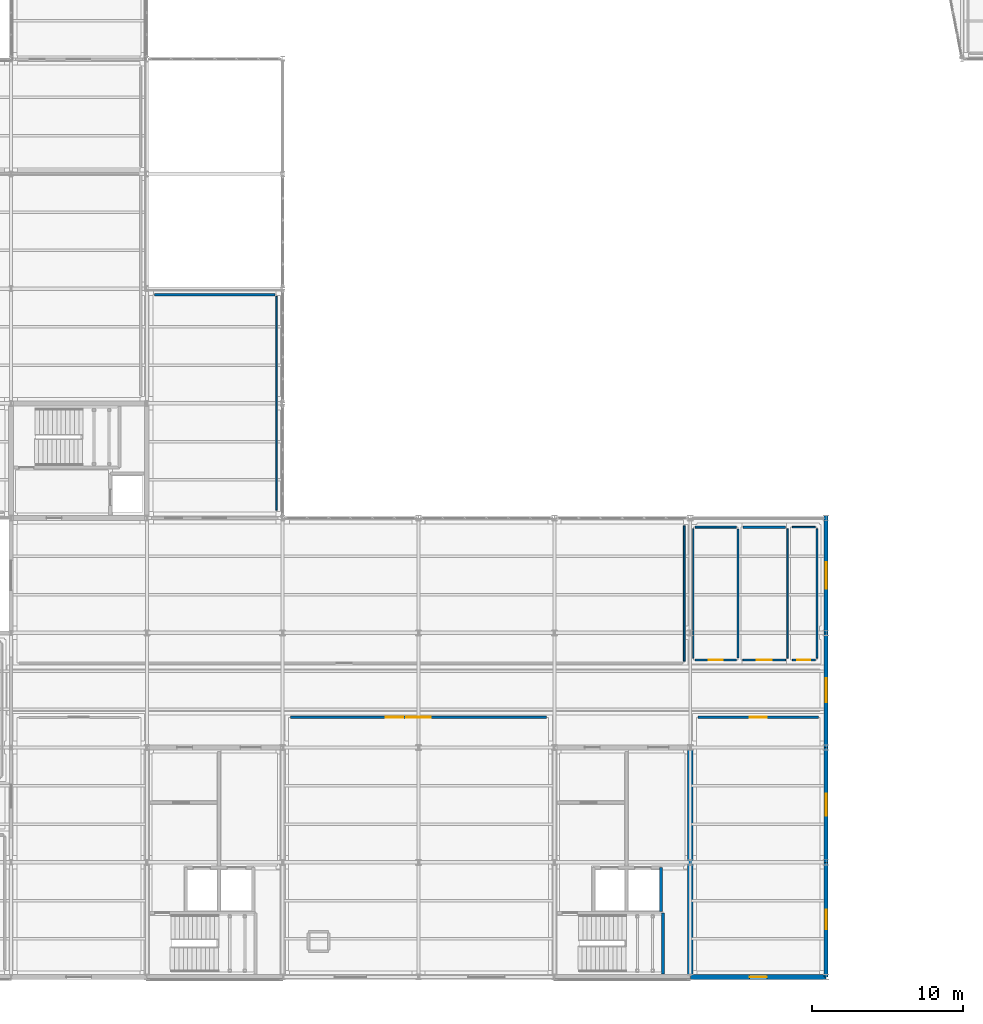
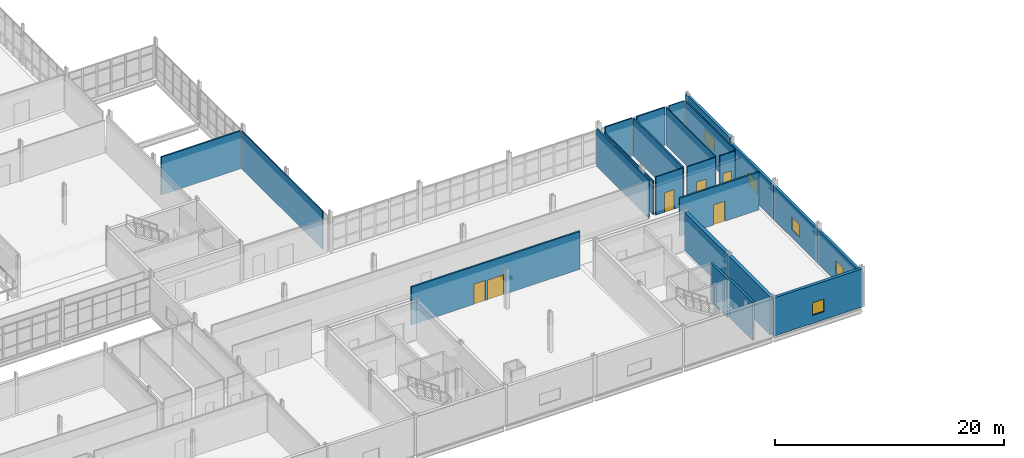
# One storey, part 156 of 174: 23 walls, 6 doors, 5 windows, 11 openings.
"""IFC4 building model written with IfcOpenShell, lengths in metres."""

from ifc_helpers import new_model, si_unit, direction, frame, frame_2d, origin, place, context, subcontext, project, spatial, rectangle, extrude, material, layer, layer_set, type_object, element, fill, save


model = new_model("IFC4")

# Units and contexts
model_context = context("Model", 3, precision=1e-05, world=origin(), true_north=direction((0.0, 1.0)))
body_context = subcontext(model_context, "Body", "Model", "MODEL_VIEW")
ifc_project = project(units=[si_unit("LENGTHUNIT", "METRE"), si_unit("AREAUNIT", "SQUARE_METRE"), si_unit("VOLUMEUNIT", "CUBIC_METRE"), si_unit("PLANEANGLEUNIT", "RADIAN"), si_unit("MASSUNIT", "GRAM", prefix="KILO")], contexts=[model_context])

# Site, building, storey
site_placement = place(None, origin())
site = spatial("IfcSite", under=ifc_project, at=site_placement, CompositionType="ELEMENT")
building_placement = place(site_placement, origin())
building = spatial("IfcBuilding", under=site, at=building_placement, Name="Caisbarro Railhouse Central Library", CompositionType="ELEMENT")
storey_placement = place(building_placement, frame((0.0, 0.0, 5.0400390625)))
storey = spatial("IfcBuildingStorey", under=building, at=storey_placement, Name="L01", CompositionType="ELEMENT", Elevation=5.0400390625)

# Wall
ifc_material_1 = material(Name="Concrete C40", Category="concrete")
ifc_layer_1 = layer(ifc_material_1, 0.35009765625, Name="Concrete C40")
ifc_layer_set_1 = layer_set([ifc_layer_1], Name="Concrete C40")
wall_type_1 = type_object("IfcWallType", Name="WAL-CW35", PredefinedType="SHEAR", material=ifc_layer_set_1)
wall_1_placement = place(storey_placement, frame((99.0, 0.159912109375, 0.0), z_axis=(0.0, 0.0, 1.0), x_axis=(0.0, 1.0, 0.0)))
element("IfcWall", 1, at=wall_1_placement, inside=storey, type_object=wall_type_1, Name="CW35 RC core shear wall L01 #28", PredefinedType="SHEAR", context=body_context, shape_type="SweptSolid", body=[
    extrude(rectangle(XDim=14.880126953125, YDim=0.35009765625, at=frame_2d((7.43994140625, 0.0))), origin(), (0.0, 0.0, 1.0), 4.0400390625),
])

# Wall, opening, window
ifc_material_2 = material(Name="Concrete C35 insulated architectural precast", Category="concrete")
ifc_layer_2 = layer(ifc_material_2, 0.260009765625, Name="Concrete C35 insulated architectural precast")
ifc_layer_set_2 = layer_set([ifc_layer_2], Name="Concrete C35 insulated architectural precast")
wall_type_2 = type_object("IfcWallType", Name="WAL-EW26", PredefinedType="STANDARD", material=ifc_layer_set_2)
wall_2_placement = place(storey_placement, frame((108.0, 0.0, 0.0), z_axis=(0.0, 0.0, 1.0), x_axis=(0.0, 1.0, 0.0)))
wall_2 = element("IfcWall", 2, at=wall_2_placement, inside=storey, type_object=wall_type_2, Name="EW26 exterior wall L01 #87", PredefinedType="STANDARD", context=body_context, shape_type="SweptSolid", body=[
    extrude(rectangle(XDim=7.60009765625, YDim=0.260009765625, at=frame_2d((3.800048828125, 0.0))), origin(), (0.0, 0.0, 1.0), 3.598876953125),
])
opening_1_placement = place(wall_2_placement, frame((3.14990234375, 0.0, 0.85009765625)))
opening_1 = element("IfcOpeningElement", 3, at=opening_1_placement, cuts=wall_2, Name="Opening W12", PredefinedType="OPENING", context=body_context, shape_type="SweptSolid", body=[
    extrude(rectangle(XDim=1.300048828125, YDim=1.35009765625, at=frame_2d((0.64990234375, 0.675048828125))), frame((0.0, 0.14013671875, 0.0), z_axis=(0.0, -1.0, 0.0), x_axis=(1.0, 0.0, 0.0)), (0.0, 0.0, 1.0), 0.280029296875),
])
ifc_material_3 = material(Name="Double low-e laminated solar-control glass", Category="glass")
window_type_1 = type_object("IfcWindowType", Name="WIN-W12", PartitioningType="SINGLE_PANEL", PredefinedType="WINDOW", material=ifc_material_3)
window_1_placement = place(opening_1_placement, origin())
window_1 = element("IfcWindow", 4, at=window_1_placement, inside=storey, type_object=window_type_1, Name="W12 window L01-013", OverallHeight=1.35009765625, OverallWidth=1.300048828125, PartitioningType="SINGLE_PANEL", PredefinedType="WINDOW", context=body_context, shape_type="SweptSolid", body=[
    extrude(rectangle(XDim=1.300048828125, YDim=1.35009765625, at=frame_2d((0.64990234375, 0.675048828125))), frame((0.0, 0.030029296875, 0.0), z_axis=(0.0, -1.0, 0.0), x_axis=(1.0, 0.0, 0.0)), (0.0, 0.0, 1.0), 0.06005859375),
])
fill(opening_1, window_1)

wall_3_placement = place(storey_placement, frame((108.0, 7.60009765625, 0.0), z_axis=(0.0, 0.0, 1.0), x_axis=(0.0, 1.0, 0.0)))
wall_3 = element("IfcWall", 5, at=wall_3_placement, inside=storey, type_object=wall_type_2, Name="EW26 exterior wall L01 #88", PredefinedType="STANDARD", context=body_context, shape_type="SweptSolid", body=[
    extrude(rectangle(XDim=7.599853515625, YDim=0.260009765625, at=frame_2d((3.7998046875, 0.0))), origin(), (0.0, 0.0, 1.0), 3.598876953125),
])
opening_2_placement = place(wall_3_placement, frame((3.074951171875, 0.0, 0.85009765625)))
opening_2 = element("IfcOpeningElement", 6, at=opening_2_placement, cuts=wall_3, Name="Opening W13", PredefinedType="OPENING", context=body_context, shape_type="SweptSolid", body=[
    extrude(rectangle(XDim=1.449951171875, YDim=1.35009765625, at=frame_2d((0.72509765625, 0.675048828125))), frame((0.0, 0.14013671875, 0.0), z_axis=(0.0, -1.0, 0.0), x_axis=(1.0, 0.0, 0.0)), (0.0, 0.0, 1.0), 0.280029296875),
])
window_type_2 = type_object("IfcWindowType", Name="WIN-W13", PartitioningType="SINGLE_PANEL", PredefinedType="WINDOW", material=ifc_material_3)
window_2_placement = place(opening_2_placement, origin())
window_2 = element("IfcWindow", 7, at=window_2_placement, inside=storey, type_object=window_type_2, Name="W13 window L01-014", OverallHeight=1.35009765625, OverallWidth=1.449951171875, PartitioningType="SINGLE_PANEL", PredefinedType="WINDOW", context=body_context, shape_type="SweptSolid", body=[
    extrude(rectangle(XDim=1.449951171875, YDim=1.35009765625, at=frame_2d((0.72509765625, 0.675048828125))), frame((0.0, 0.030029296875, 0.0), z_axis=(0.0, -1.0, 0.0), x_axis=(1.0, 0.0, 0.0)), (0.0, 0.0, 1.0), 0.06005859375),
])
fill(opening_2, window_2)

wall_4_placement = place(storey_placement, frame((108.0, 15.199951171875, 0.0), z_axis=(0.0, 0.0, 1.0), x_axis=(0.0, 1.0, 0.0)))
wall_4 = element("IfcWall", 8, at=wall_4_placement, inside=storey, type_object=wall_type_2, Name="EW26 exterior wall L01 #89", PredefinedType="STANDARD", context=body_context, shape_type="SweptSolid", body=[
    extrude(rectangle(XDim=7.60009765625, YDim=0.260009765625, at=frame_2d((3.800048828125, 0.0))), origin(), (0.0, 0.0, 1.0), 3.598876953125),
])
opening_3_placement = place(wall_4_placement, frame((3.0, 0.0, 0.85009765625)))
opening_3 = element("IfcOpeningElement", 9, at=opening_3_placement, cuts=wall_4, Name="Opening W14", PredefinedType="OPENING", context=body_context, shape_type="SweptSolid", body=[
    extrude(rectangle(XDim=1.60009765625, YDim=1.35009765625, at=frame_2d((0.800048828125, 0.675048828125))), frame((0.0, 0.14013671875, 0.0), z_axis=(0.0, -1.0, 0.0), x_axis=(1.0, 0.0, 0.0)), (0.0, 0.0, 1.0), 0.280029296875),
])
window_type_3 = type_object("IfcWindowType", Name="WIN-W14", PartitioningType="SINGLE_PANEL", PredefinedType="WINDOW", material=ifc_material_3)
window_3_placement = place(opening_3_placement, origin())
window_3 = element("IfcWindow", 10, at=window_3_placement, inside=storey, type_object=window_type_3, Name="W14 window L01-015", OverallHeight=1.35009765625, OverallWidth=1.60009765625, PartitioningType="SINGLE_PANEL", PredefinedType="WINDOW", context=body_context, shape_type="SweptSolid", body=[
    extrude(rectangle(XDim=1.60009765625, YDim=1.35009765625, at=frame_2d((0.800048828125, 0.675048828125))), frame((0.0, 0.030029296875, 0.0), z_axis=(0.0, -1.0, 0.0), x_axis=(1.0, 0.0, 0.0)), (0.0, 0.0, 1.0), 0.06005859375),
])
fill(opening_3, window_3)

wall_5_placement = place(storey_placement, frame((108.0, 22.800048828125, 0.0), z_axis=(0.0, 0.0, 1.0), x_axis=(0.0, 1.0, 0.0)))
wall_5 = element("IfcWall", 11, at=wall_5_placement, inside=storey, type_object=wall_type_2, Name="EW26 exterior wall L01 #90", PredefinedType="STANDARD", context=body_context, shape_type="SweptSolid", body=[
    extrude(rectangle(XDim=7.81005859375, YDim=0.260009765625, at=frame_2d((3.905029296875, 0.0))), origin(), (0.0, 0.0, 1.0), 4.06005859375),
])
opening_4_placement = place(wall_5_placement, frame((2.925048828125, 0.0, 0.85009765625)))
opening_4 = element("IfcOpeningElement", 12, at=opening_4_placement, cuts=wall_5, Name="Opening W15", PredefinedType="OPENING", context=body_context, shape_type="SweptSolid", body=[
    extrude(rectangle(XDim=1.75, YDim=1.35009765625, at=frame_2d((0.875, 0.675048828125))), frame((0.0, 0.14013671875, 0.0), z_axis=(0.0, -1.0, 0.0), x_axis=(1.0, 0.0, 0.0)), (0.0, 0.0, 1.0), 0.280029296875),
])
window_type_4 = type_object("IfcWindowType", Name="WIN-W15", PartitioningType="SINGLE_PANEL", PredefinedType="WINDOW", material=ifc_material_3)
window_4_placement = place(opening_4_placement, origin())
window_4 = element("IfcWindow", 13, at=window_4_placement, inside=storey, type_object=window_type_4, Name="W15 window L01-016", OverallHeight=1.35009765625, OverallWidth=1.75, PartitioningType="SINGLE_PANEL", PredefinedType="WINDOW", context=body_context, shape_type="SweptSolid", body=[
    extrude(rectangle(XDim=1.75, YDim=1.35009765625, at=frame_2d((0.875, 0.675048828125))), frame((0.0, 0.030029296875, 0.0), z_axis=(0.0, -1.0, 0.0), x_axis=(1.0, 0.0, 0.0)), (0.0, 0.0, 1.0), 0.06005859375),
])
fill(opening_4, window_4)

ifc_layer_3 = layer(ifc_material_1, 0.300048828125, Name="Concrete C40")
ifc_layer_set_3 = layer_set([ifc_layer_3], Name="Concrete C40")
wall_type_3 = type_object("IfcWallType", Name="WAL-EW30", PredefinedType="SOLIDWALL", material=ifc_layer_set_3)
wall_6_placement = place(storey_placement, frame((99.0, 0.0, 0.0), z_axis=(0.0, 0.0, 1.0), x_axis=(1.0, 0.0, 0.0)))
wall_6 = element("IfcWall", 14, at=wall_6_placement, inside=storey, type_object=wall_type_3, Name="EW30 exterior wall L01 #86", PredefinedType="SOLIDWALL", context=body_context, shape_type="SweptSolid", body=[
    extrude(rectangle(XDim=9.0, YDim=0.300048828125, at=frame_2d((4.5, 0.0))), origin(), (0.0, 0.0, 1.0), 4.06005859375),
])
opening_5_placement = place(wall_6_placement, frame((3.925048828125, 0.0, 0.85009765625)))
opening_5 = element("IfcOpeningElement", 15, at=opening_5_placement, cuts=wall_6, Name="Opening W11", PredefinedType="OPENING", context=body_context, shape_type="SweptSolid", body=[
    extrude(rectangle(XDim=1.14990234375, YDim=1.35009765625, at=frame_2d((0.574951171875, 0.675048828125))), frame((0.0, 0.16015625, 0.0), z_axis=(0.0, -1.0, 0.0), x_axis=(1.0, 0.0, 0.0)), (0.0, 0.0, 1.0), 0.320068359375),
])
window_type_5 = type_object("IfcWindowType", Name="WIN-W11", PartitioningType="SINGLE_PANEL", PredefinedType="WINDOW", material=ifc_material_3)
window_5_placement = place(opening_5_placement, origin())
window_5 = element("IfcWindow", 16, at=window_5_placement, inside=storey, type_object=window_type_5, Name="W11 window L01-012", OverallHeight=1.35009765625, OverallWidth=1.14990234375, PartitioningType="SINGLE_PANEL", PredefinedType="WINDOW", context=body_context, shape_type="SweptSolid", body=[
    extrude(rectangle(XDim=1.14990234375, YDim=1.35009765625, at=frame_2d((0.574951171875, 0.675048828125))), frame((0.0, 0.030029296875, 0.0), z_axis=(0.0, -1.0, 0.0), x_axis=(1.0, 0.0, 0.0)), (0.0, 0.0, 1.0), 0.06005859375),
])
fill(opening_5, window_5)

# Walls
ifc_material_4 = material(Name="Acoustic gypsum board on galvanised steel studs", Category="steel")
ifc_layer_4 = layer(ifc_material_4, 0.090087890625, Name="Acoustic gypsum board on galvanised steel studs")
ifc_layer_set_4 = layer_set([ifc_layer_4], Name="Acoustic gypsum board on galvanised steel studs")
wall_type_4 = type_object("IfcWallType", Name="WAL-IW09", PredefinedType="PARTITIONING", material=ifc_layer_set_4)
wall_7_placement = place(storey_placement, frame((99.199951171875, 21.1201171875, 0.0), z_axis=(0.0, 0.0, 1.0), x_axis=(0.0, 1.0, 0.0)))
element("IfcWall", 17, at=wall_7_placement, inside=storey, type_object=wall_type_4, Name="IW09 partition wall L01 #395", PredefinedType="PARTITIONING", context=body_context, shape_type="SweptSolid", body=[
    extrude(rectangle(XDim=8.559814453125, YDim=0.090087890625, at=frame_2d((4.27978515625, 0.0))), origin(), (0.0, 0.0, 1.0), 3.598876953125),
])
wall_8_placement = place(storey_placement, frame((105.43603515625, 21.1201171875, 0.0), z_axis=(0.0, 0.0, 1.0), x_axis=(0.0, 1.0, 0.0)))
element("IfcWall", 18, at=wall_8_placement, inside=storey, type_object=wall_type_4, Name="IW09 partition wall L01 #399", PredefinedType="PARTITIONING", context=body_context, shape_type="SweptSolid", body=[
    extrude(rectangle(XDim=8.559814453125, YDim=0.090087890625, at=frame_2d((4.27978515625, 0.0))), origin(), (0.0, 0.0, 1.0), 4.0400390625),
])
wall_9_placement = place(storey_placement, frame((105.756103515625, 29.800048828125, 0.0), z_axis=(0.0, 0.0, 1.0), x_axis=(1.0, 0.0, 0.0)))
element("IfcWall", 19, at=wall_9_placement, inside=storey, type_object=wall_type_4, Name="IW09 partition wall L01 #403", PredefinedType="PARTITIONING", context=body_context, shape_type="SweptSolid", body=[
    extrude(rectangle(XDim=1.52392578125, YDim=0.090087890625, at=frame_2d((0.761962890625, 0.0))), origin(), (0.0, 0.0, 1.0), 4.0400390625),
])
wall_10_placement = place(storey_placement, frame((71.60009765625, 30.919921875, 0.0), z_axis=(0.0, 0.0, 1.0), x_axis=(0.0, 1.0, 0.0)))
element("IfcWall", 20, at=wall_10_placement, inside=storey, type_object=wall_type_4, Name="IW09 partition wall L01 #459", PredefinedType="PARTITIONING", context=body_context, shape_type="SweptSolid", body=[
    extrude(rectangle(XDim=14.16015625, YDim=0.090087890625, at=frame_2d((7.080078125, 0.0))), origin(), (0.0, 0.0, 1.0), 4.0400390625),
])

# Wall, opening, door
ifc_layer_5 = layer(ifc_material_4, 0.110107421875, Name="Acoustic gypsum board on galvanised steel studs")
ifc_layer_set_5 = layer_set([ifc_layer_5], Name="Acoustic gypsum board on galvanised steel studs")
wall_type_5 = type_object("IfcWallType", Name="WAL-IW11", PredefinedType="PARTITIONING", material=ifc_layer_set_5)
wall_11_placement = place(storey_placement, frame((99.320068359375, 21.0, 0.0), z_axis=(0.0, 0.0, 1.0), x_axis=(1.0, 0.0, 0.0)))
wall_11 = element("IfcWall", 21, at=wall_11_placement, inside=storey, type_object=wall_type_5, Name="IW11 partition wall L01 #394", PredefinedType="PARTITIONING", context=body_context, shape_type="SweptSolid", body=[
    extrude(rectangle(XDim=2.72802734375, YDim=0.110107421875, at=frame_2d((1.364013671875, 0.0))), origin(), (0.0, 0.0, 1.0), 4.0400390625),
])
opening_6_placement = place(wall_11_placement, frame((0.89404296875, 0.0, 0.0)))
opening_6 = element("IfcOpeningElement", 22, at=opening_6_placement, cuts=wall_11, Name="Opening ID03", PredefinedType="OPENING", context=body_context, shape_type="SweptSolid", body=[
    extrude(rectangle(XDim=0.93994140625, YDim=2.06005859375, at=frame_2d((0.469970703125, 1.030029296875))), frame((0.0, 0.06494140625, 0.0), z_axis=(0.0, -1.0, 0.0), x_axis=(1.0, 0.0, 0.0)), (0.0, 0.0, 1.0), 0.130126953125),
])
ifc_material_5 = material(Name="Solid-core tropical hardwood veneer", Category="wood")
door_type_1 = type_object("IfcDoorType", Name="DR-ID03", OperationType="NOTDEFINED", PredefinedType="DOOR", material=ifc_material_5)
door_1_placement = place(opening_6_placement, origin())
door_1 = element("IfcDoor", 23, at=door_1_placement, inside=storey, type_object=door_type_1, Name="Male WC L01-E Door ID03 L01-242", OperationType="SINGLE_SWING_RIGHT", OverallHeight=2.06005859375, OverallWidth=0.93994140625, PredefinedType="DOOR", context=body_context, shape_type="SweptSolid", body=[
    extrude(rectangle(XDim=0.93994140625, YDim=2.06005859375, at=frame_2d((0.469970703125, 1.030029296875))), frame((0.0, 0.02490234375, 0.0), z_axis=(0.0, -1.0, 0.0), x_axis=(1.0, 0.0, 0.0)), (0.0, 0.0, 1.0), 0.050048828125),
])
fill(opening_6, door_1)

wall_12_placement = place(storey_placement, frame((102.488037109375, 21.0, 0.0), z_axis=(0.0, 0.0, 1.0), x_axis=(1.0, 0.0, 0.0)))
wall_12 = element("IfcWall", 24, at=wall_12_placement, inside=storey, type_object=wall_type_5, Name="IW11 partition wall L01 #398", PredefinedType="PARTITIONING", context=body_context, shape_type="SweptSolid", body=[
    extrude(rectangle(XDim=2.827880859375, YDim=0.110107421875, at=frame_2d((1.4140625, 0.0))), origin(), (0.0, 0.0, 1.0), 4.0400390625),
])
opening_7_placement = place(wall_12_placement, frame((0.924072265625, 0.0, 0.0)))
opening_7 = element("IfcOpeningElement", 25, at=opening_7_placement, cuts=wall_12, Name="Opening ID04", PredefinedType="OPENING", context=body_context, shape_type="SweptSolid", body=[
    extrude(rectangle(XDim=0.97998046875, YDim=2.06005859375, at=frame_2d((0.489990234375, 1.030029296875))), frame((0.0, 0.06494140625, 0.0), z_axis=(0.0, -1.0, 0.0), x_axis=(1.0, 0.0, 0.0)), (0.0, 0.0, 1.0), 0.130126953125),
])
door_type_2 = type_object("IfcDoorType", Name="DR-ID04", OperationType="NOTDEFINED", PredefinedType="DOOR", material=ifc_material_5)
door_2_placement = place(opening_7_placement, origin())
door_2 = element("IfcDoor", 26, at=door_2_placement, inside=storey, type_object=door_type_2, Name="Female WC L01-E Door ID04 L01-243", OperationType="SINGLE_SWING_LEFT", OverallHeight=2.06005859375, OverallWidth=0.97998046875, PredefinedType="DOOR", context=body_context, shape_type="SweptSolid", body=[
    extrude(rectangle(XDim=0.97998046875, YDim=2.06005859375, at=frame_2d((0.489990234375, 1.030029296875))), frame((0.0, 0.02490234375, 0.0), z_axis=(0.0, -1.0, 0.0), x_axis=(1.0, 0.0, 0.0)), (0.0, 0.0, 1.0), 0.050048828125),
])
fill(opening_7, door_2)

# Walls
wall_13_placement = place(storey_placement, frame((107.39990234375, 21.1201171875, 0.0), z_axis=(0.0, 0.0, 1.0), x_axis=(0.0, 1.0, 0.0)))
element("IfcWall", 27, at=wall_13_placement, inside=storey, type_object=wall_type_5, Name="IW11 partition wall L01 #402", PredefinedType="PARTITIONING", context=body_context, shape_type="SweptSolid", body=[
    extrude(rectangle(XDim=8.559814453125, YDim=0.110107421875, at=frame_2d((4.27978515625, 0.0))), origin(), (0.0, 0.0, 1.0), 4.0400390625),
])
ifc_layer_6 = layer(ifc_material_4, 0.1298828125, Name="Acoustic gypsum board on galvanised steel studs")
ifc_layer_set_6 = layer_set([ifc_layer_6], Name="Acoustic gypsum board on galvanised steel studs")
wall_type_6 = type_object("IfcWallType", Name="WAL-IW13", PredefinedType="PARTITIONING", material=ifc_layer_set_6)
wall_14_placement = place(storey_placement, frame((98.60009765625, 20.919921875, 0.0), z_axis=(0.0, 0.0, 1.0), x_axis=(0.0, 1.0, 0.0)))
element("IfcWall", 28, at=wall_14_placement, inside=storey, type_object=wall_type_6, Name="IW13 partition wall L01 #393", PredefinedType="PARTITIONING", context=body_context, shape_type="SweptSolid", body=[
    extrude(rectangle(XDim=8.9599609375, YDim=0.1298828125, at=frame_2d((4.47998046875, 0.0))), origin(), (0.0, 0.0, 1.0), 4.0400390625),
])
wall_15_placement = place(storey_placement, frame((99.320068359375, 29.800048828125, 0.0), z_axis=(0.0, 0.0, 1.0), x_axis=(1.0, 0.0, 0.0)))
element("IfcWall", 29, at=wall_15_placement, inside=storey, type_object=wall_type_6, Name="IW13 partition wall L01 #397", PredefinedType="PARTITIONING", context=body_context, shape_type="SweptSolid", body=[
    extrude(rectangle(XDim=2.72802734375, YDim=0.1298828125, at=frame_2d((1.364013671875, 0.0))), origin(), (0.0, 0.0, 1.0), 4.0400390625),
])

# Wall, opening, door
wall_16_placement = place(storey_placement, frame((105.756103515625, 21.0, 0.0), z_axis=(0.0, 0.0, 1.0), x_axis=(1.0, 0.0, 0.0)))
wall_16 = element("IfcWall", 30, at=wall_16_placement, inside=storey, type_object=wall_type_6, Name="IW13 partition wall L01 #401", PredefinedType="PARTITIONING", context=body_context, shape_type="SweptSolid", body=[
    extrude(rectangle(XDim=1.52392578125, YDim=0.1298828125, at=frame_2d((0.761962890625, 0.0))), origin(), (0.0, 0.0, 1.0), 4.0400390625),
])
opening_8_placement = place(wall_16_placement, frame((0.33203125, 0.0, 0.0)))
opening_8 = element("IfcOpeningElement", 31, at=opening_8_placement, cuts=wall_16, Name="Opening ID01", PredefinedType="OPENING", context=body_context, shape_type="SweptSolid", body=[
    extrude(rectangle(XDim=0.860107421875, YDim=2.06005859375, at=frame_2d((0.43017578125, 1.030029296875))), frame((0.0, 0.074951171875, 0.0), z_axis=(0.0, -1.0, 0.0), x_axis=(1.0, 0.0, 0.0)), (0.0, 0.0, 1.0), 0.14990234375),
])
door_type_3 = type_object("IfcDoorType", Name="DR-ID01", OperationType="NOTDEFINED", PredefinedType="DOOR", material=ifc_material_5)
door_3_placement = place(opening_8_placement, origin())
door_3 = element("IfcDoor", 32, at=door_3_placement, inside=storey, type_object=door_type_3, Name="Accessible WC L01-E Door ID01 L01-244", OperationType="SINGLE_SWING_RIGHT", OverallHeight=2.06005859375, OverallWidth=0.860107421875, PredefinedType="DOOR", context=body_context, shape_type="SweptSolid", body=[
    extrude(rectangle(XDim=0.860107421875, YDim=2.06005859375, at=frame_2d((0.43017578125, 1.030029296875))), frame((0.0, 0.02490234375, 0.0), z_axis=(0.0, -1.0, 0.0), x_axis=(1.0, 0.0, 0.0)), (0.0, 0.0, 1.0), 0.050048828125),
])
fill(opening_8, door_3)

# Walls
ifc_layer_7 = layer(ifc_material_4, 0.14990234375, Name="Acoustic gypsum board on galvanised steel studs")
ifc_layer_set_7 = layer_set([ifc_layer_7], Name="Acoustic gypsum board on galvanised steel studs")
wall_type_7 = type_object("IfcWallType", Name="WAL-IW15", PredefinedType="PARTITIONING", material=ifc_layer_set_7)
wall_17_placement = place(storey_placement, frame((102.16796875, 21.1201171875, 0.0), z_axis=(0.0, 0.0, 1.0), x_axis=(0.0, 1.0, 0.0)))
element("IfcWall", 33, at=wall_17_placement, inside=storey, type_object=wall_type_7, Name="IW15 partition wall L01 #396", PredefinedType="PARTITIONING", context=body_context, shape_type="SweptSolid", body=[
    extrude(rectangle(XDim=8.559814453125, YDim=0.14990234375, at=frame_2d((4.27978515625, 0.0))), origin(), (0.0, 0.0, 1.0), 4.0400390625),
])
wall_18_placement = place(storey_placement, frame((102.488037109375, 29.800048828125, 0.0), z_axis=(0.0, 0.0, 1.0), x_axis=(1.0, 0.0, 0.0)))
element("IfcWall", 34, at=wall_18_placement, inside=storey, type_object=wall_type_7, Name="IW15 partition wall L01 #400", PredefinedType="PARTITIONING", context=body_context, shape_type="SweptSolid", body=[
    extrude(rectangle(XDim=2.827880859375, YDim=0.14990234375, at=frame_2d((1.4140625, 0.0))), origin(), (0.0, 0.0, 1.0), 4.0400390625),
])
wall_19_placement = place(storey_placement, frame((63.52001953125, 45.199951171875, 0.0), z_axis=(0.0, 0.0, 1.0), x_axis=(1.0, 0.0, 0.0)))
element("IfcWall", 35, at=wall_19_placement, inside=storey, type_object=wall_type_7, Name="IW15 partition wall L01 #460", PredefinedType="PARTITIONING", context=body_context, shape_type="SweptSolid", body=[
    extrude(rectangle(XDim=7.9599609375, YDim=0.14990234375, at=frame_2d((3.97998046875, 0.0))), origin(), (0.0, 0.0, 1.0), 4.0400390625),
])

# Wall, openings, doors
ifc_material_6 = material(Name="Plastered cellular concrete masonry", Category="masonry")
ifc_layer_8 = layer(ifc_material_6, 0.169921875, Name="Plastered cellular concrete masonry")
ifc_layer_set_8 = layer_set([ifc_layer_8], Name="Plastered cellular concrete masonry")
wall_type_8 = type_object("IfcWallType", Name="WAL-IW17", PredefinedType="PARTITIONING", material=ifc_layer_set_8)
wall_20_placement = place(storey_placement, frame((72.52001953125, 17.199951171875, 0.0), z_axis=(0.0, 0.0, 1.0), x_axis=(1.0, 0.0, 0.0)))
wall_20 = element("IfcWall", 36, at=wall_20_placement, inside=storey, type_object=wall_type_8, Name="IW17 partition wall L01 #390", PredefinedType="PARTITIONING", context=body_context, shape_type="SweptSolid", body=[
    extrude(rectangle(XDim=16.9599609375, YDim=0.169921875, at=frame_2d((8.47998046875, 0.0))), origin(), (0.0, 0.0, 1.0), 4.0400390625),
])
opening_9_placement = place(wall_20_placement, frame((7.659912109375, 0.0, 0.0)))
opening_9 = element("IfcOpeningElement", 37, at=opening_9_placement, cuts=wall_20, Name="Opening ID20", PredefinedType="OPENING", context=body_context, shape_type="SweptSolid", body=[
    extrude(rectangle(XDim=1.639892578125, YDim=2.10009765625, at=frame_2d((0.81982421875, 1.050048828125))), frame((0.0, 0.094970703125, 0.0), z_axis=(0.0, -1.0, 0.0), x_axis=(1.0, 0.0, 0.0)), (0.0, 0.0, 1.0), 0.18994140625),
])
opening_10_placement = place(wall_20_placement, frame((6.304931640625, 0.0, 0.0)))
opening_10 = element("IfcOpeningElement", 38, at=opening_10_placement, cuts=wall_20, Name="Opening FD03", PredefinedType="OPENING", context=body_context, shape_type="SweptSolid", body=[
    extrude(rectangle(XDim=1.14990234375, YDim=2.14990234375, at=frame_2d((0.574951171875, 1.074951171875))), frame((0.0, 0.094970703125, 0.0), z_axis=(0.0, -1.0, 0.0), x_axis=(1.0, 0.0, 0.0)), (0.0, 0.0, 1.0), 0.18994140625),
])
ifc_material_7 = material(Name="Fire-rated painted galvanised steel", Category="steel")
door_type_4 = type_object("IfcDoorType", Name="DR-FD03", OperationType="NOTDEFINED", PredefinedType="DOOR", material=ifc_material_7)
door_4_placement = place(opening_10_placement, origin())
door_4 = element("IfcDoor", 39, at=door_4_placement, inside=storey, type_object=door_type_4, Name="Archive Spine Corridor L01 Door FD03 L01-264", OperationType="SINGLE_SWING_RIGHT", OverallHeight=2.14990234375, OverallWidth=1.14990234375, PredefinedType="DOOR", context=body_context, shape_type="SweptSolid", body=[
    extrude(rectangle(XDim=1.14990234375, YDim=2.14990234375, at=frame_2d((0.574951171875, 1.074951171875))), frame((0.0, 0.02490234375, 0.0), z_axis=(0.0, -1.0, 0.0), x_axis=(1.0, 0.0, 0.0)), (0.0, 0.0, 1.0), 0.050048828125),
])
fill(opening_10, door_4)
door_type_5 = type_object("IfcDoorType", Name="DR-ID20", OperationType="NOTDEFINED", PredefinedType="DOOR", material=ifc_material_5)
door_5_placement = place(opening_9_placement, origin())
door_5 = element("IfcDoor", 40, at=door_5_placement, inside=storey, type_object=door_type_5, Name="Open Humanities Stacks East Door ID20 L01-239", OperationType="SINGLE_SWING_LEFT", OverallHeight=2.10009765625, OverallWidth=1.639892578125, PredefinedType="DOOR", context=body_context, shape_type="SweptSolid", body=[
    extrude(rectangle(XDim=1.639892578125, YDim=2.10009765625, at=frame_2d((0.81982421875, 1.050048828125))), frame((0.0, 0.02490234375, 0.0), z_axis=(0.0, -1.0, 0.0), x_axis=(1.0, 0.0, 0.0)), (0.0, 0.0, 1.0), 0.050048828125),
])
fill(opening_9, door_5)

# Wall, opening, door
wall_21_placement = place(storey_placement, frame((99.52001953125, 17.199951171875, 0.0), z_axis=(0.0, 0.0, 1.0), x_axis=(1.0, 0.0, 0.0)))
wall_21 = element("IfcWall", 41, at=wall_21_placement, inside=storey, type_object=wall_type_8, Name="IW17 partition wall L01 #391", PredefinedType="PARTITIONING", context=body_context, shape_type="SweptSolid", body=[
    extrude(rectangle(XDim=7.9599609375, YDim=0.169921875, at=frame_2d((3.97998046875, 0.0))), origin(), (0.0, 0.0, 1.0), 4.0400390625),
])
opening_11_placement = place(wall_21_placement, frame((3.405029296875, 0.0, 0.0)))
opening_11 = element("IfcOpeningElement", 42, at=opening_11_placement, cuts=wall_21, Name="Opening FD03", PredefinedType="OPENING", context=body_context, shape_type="SweptSolid", body=[
    extrude(rectangle(XDim=1.14990234375, YDim=2.14990234375, at=frame_2d((0.574951171875, 1.074951171875))), frame((0.0, 0.094970703125, 0.0), z_axis=(0.0, -1.0, 0.0), x_axis=(1.0, 0.0, 0.0)), (0.0, 0.0, 1.0), 0.18994140625),
])
door_6_placement = place(opening_11_placement, origin())
door_6 = element("IfcDoor", 43, at=door_6_placement, inside=storey, type_object=door_type_4, Name="Rare-Serials Closed Stacks Door FD03 L01-240", OperationType="SINGLE_SWING_RIGHT", OverallHeight=2.14990234375, OverallWidth=1.14990234375, PredefinedType="DOOR", context=body_context, shape_type="SweptSolid", body=[
    extrude(rectangle(XDim=1.14990234375, YDim=2.14990234375, at=frame_2d((0.574951171875, 1.074951171875))), frame((0.0, 0.02490234375, 0.0), z_axis=(0.0, -1.0, 0.0), x_axis=(1.0, 0.0, 0.0)), (0.0, 0.0, 1.0), 0.050048828125),
])
fill(opening_11, door_6)

# Walls
ifc_layer_9 = layer(ifc_material_1, 0.2099609375, Name="Concrete C40")
ifc_layer_set_9 = layer_set([ifc_layer_9], Name="Concrete C40")
wall_type_9 = type_object("IfcWallType", Name="WAL-SW21", PredefinedType="SOLIDWALL", material=ifc_layer_set_9)
wall_22_placement = place(storey_placement, frame((97.199951171875, 0.199951171875, 0.0), z_axis=(0.0, 0.0, 1.0), x_axis=(0.0, 1.0, 0.0)))
element("IfcWall", 44, at=wall_22_placement, inside=storey, type_object=wall_type_9, Name="SW21 core shaft wall L01 #65", PredefinedType="SOLIDWALL", context=body_context, shape_type="SweptSolid", body=[
    extrude(rectangle(XDim=4.050048828125, YDim=0.2099609375, at=frame_2d((2.02490234375, 0.0))), origin(), (0.0, 0.0, 1.0), 4.0400390625),
])
wall_23_placement = place(storey_placement, frame((97.050048828125, 4.35009765625, 0.0), z_axis=(0.0, 0.0, 1.0), x_axis=(0.0, 1.0, 0.0)))
element("IfcWall", 45, at=wall_23_placement, inside=storey, type_object=wall_type_9, Name="SW21 core shaft wall L01 #68", PredefinedType="SOLIDWALL", context=body_context, shape_type="SweptSolid", body=[
    extrude(rectangle(XDim=2.89990234375, YDim=0.2099609375, at=frame_2d((1.449951171875, 0.0))), origin(), (0.0, 0.0, 1.0), 4.0400390625),
])

save(model, "model.ifc")
